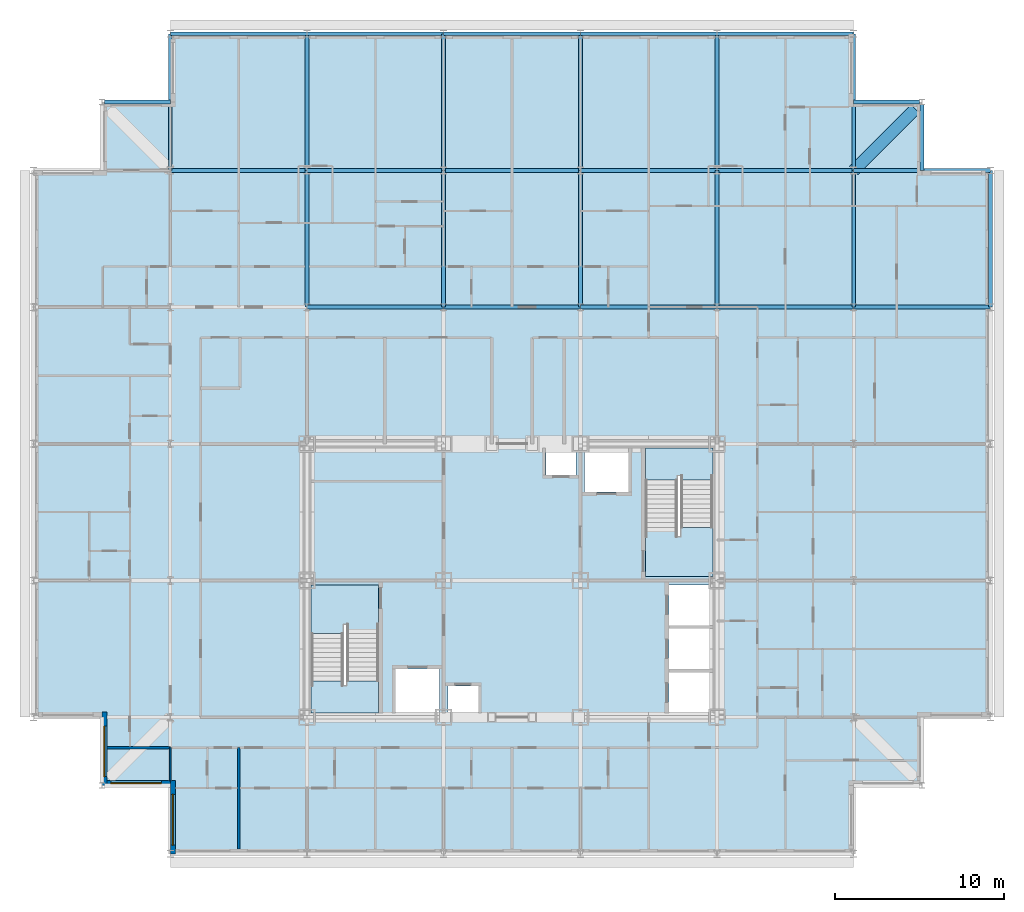
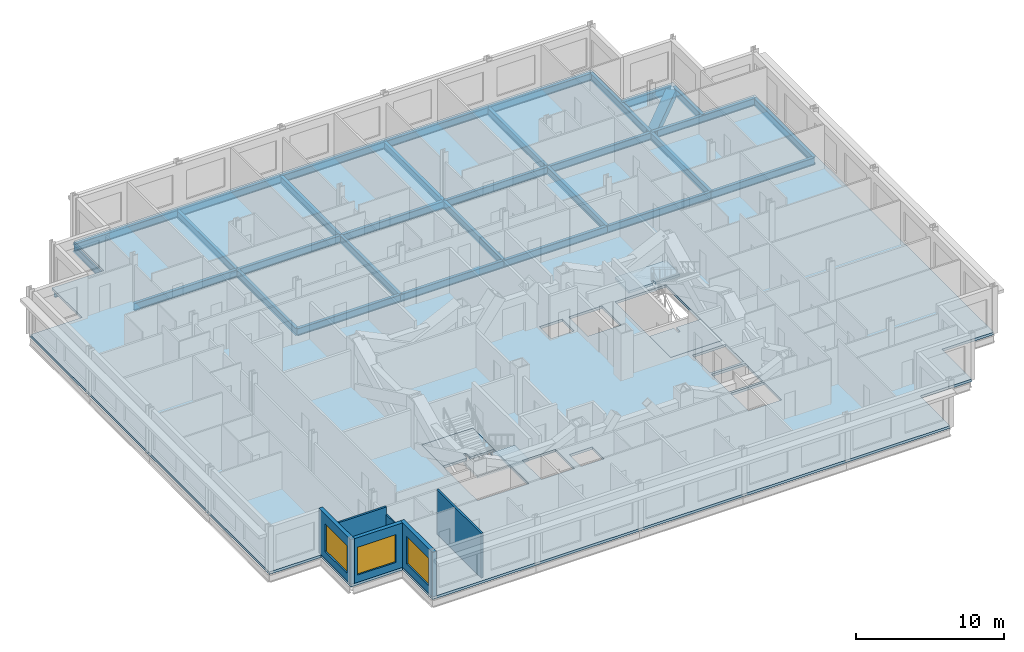
# One storey, part 6 of 16: 32 beams, 6 walls, 5 slabs, 3 windows, 3 openings, 2 elements without a shape of their own.
"""IFC4 building model written with IfcOpenShell, lengths in metres."""

import ifcopenshell
import ifcopenshell.guid

model = None  # the IFC model being written
_history = None  # IfcOwnerHistory: only IFC2X3 demands one
_inside = {}  # id of a spatial element -> (the spatial element, [elements in it])
_under = {}  # id of a project, library or spatial element -> (it, [spatial elements below it])
_declared = {}  # id of a project -> (the project, [libraries it declares])
_typed = {}  # id of a type object -> (the type object, [elements of that type])
_made_of = {}  # id of a material, layer set ... -> (it, [elements and type objects made of it])


def new_model(schema):
    """Start an empty IFC model of exactly this schema.

    Asked for "IFC4X3", IfcOpenShell would pick the latest addendum, in which some entities
    have other attributes; the version numbers below select the first issue.
    IFC2X3 requires an IfcOwnerHistory on every rooted entity: one is made here for all.
    """
    global model, _history
    if schema == "IFC4X3":
        model = ifcopenshell.file(schema_version=(4, 3, 0, 0))
    else:
        model = ifcopenshell.file(schema=schema)
    _inside.clear()
    _under.clear()
    _declared.clear()
    _typed.clear()
    _made_of.clear()
    _history = None
    if model.schema == "IFC2X3":
        org = make("IfcOrganization", Name="unknown")
        user = make(
            "IfcPersonAndOrganization",
            ThePerson=make("IfcPerson", FamilyName="unknown"),
            TheOrganization=org,
        )
        app = make(
            "IfcApplication",
            ApplicationDeveloper=org,
            Version="unknown",
            ApplicationFullName="unknown",
            ApplicationIdentifier="unknown",
        )
        _history = make(
            "IfcOwnerHistory",
            OwningUser=user,
            OwningApplication=app,
            ChangeAction="ADDED",
            CreationDate=0,
        )
    return model


def make(cls, **values):
    """One entity of the class cls with the attributes given. An attribute that is None is left unset."""
    return model.create_entity(
        cls, **{name: value for name, value in values.items() if value is not None}
    )


def rooted(cls, **values):
    """An entity with a GlobalId (a new one), such as an element, a storey or a relation."""
    return make(cls, GlobalId=ifcopenshell.guid.new(), OwnerHistory=_history, **values)


def si_unit(unit_type, name, prefix=None):
    """IfcSIUnit, for example si_unit("LENGTHUNIT", "METRE", prefix="MILLI")."""
    return make("IfcSIUnit", UnitType=unit_type, Prefix=prefix, Name=name)


def assignment(units):
    """IfcUnitAssignment: the units of a project."""
    return None if units is None else make("IfcUnitAssignment", Units=units)


def point(xyz):
    """IfcCartesianPoint."""
    return None if xyz is None else make("IfcCartesianPoint", Coordinates=xyz)


def direction(xyz):
    """IfcDirection."""
    return None if xyz is None else make("IfcDirection", DirectionRatios=xyz)


def frame(location, z_axis=None, x_axis=None):
    """IfcAxis2Placement3D, a coordinate frame: its origin and axes. An axis left out is left unset."""
    return make(
        "IfcAxis2Placement3D",
        Location=point(location),
        Axis=direction(z_axis),
        RefDirection=direction(x_axis),
    )


def frame_2d(location, x_axis=None):
    """IfcAxis2Placement2D, a coordinate frame in the plane: its origin and x axis."""
    return make(
        "IfcAxis2Placement2D", Location=point(location), RefDirection=direction(x_axis)
    )


def origin():
    """The frame at (0, 0, 0) with its axes left unset."""
    return frame((0.0, 0.0, 0.0))


def origin_2d():
    """The frame at (0, 0) in the plane with its x axis left unset."""
    return frame_2d((0.0, 0.0))


def place(relative_to, where):
    """IfcLocalPlacement: puts the frame where relative to a parent placement (None: the world)."""
    return make(
        "IfcLocalPlacement", PlacementRelTo=relative_to, RelativePlacement=where
    )


def context(
    kind, dimensions, precision=None, world=None, true_north=None, identifier=None
):
    """IfcGeometricRepresentationContext, for example the 3D "Model" context."""
    return make(
        "IfcGeometricRepresentationContext",
        ContextIdentifier=identifier,
        ContextType=kind,
        CoordinateSpaceDimension=dimensions,
        Precision=precision,
        WorldCoordinateSystem=world,
        TrueNorth=true_north,
    )


def subcontext(parent, identifier, kind, view, scale=None):
    """IfcGeometricRepresentationSubContext, for example "Body" below "Model"."""
    return make(
        "IfcGeometricRepresentationSubContext",
        ContextIdentifier=identifier,
        ContextType=kind,
        ParentContext=parent,
        TargetScale=scale,
        TargetView=view,
    )


def project(units=None, contexts=None):
    """IfcProject with its units and contexts."""
    return rooted(
        "IfcProject",
        Name="project",
        RepresentationContexts=contexts,
        UnitsInContext=assignment(units),
    )


def spatial(cls, under=None, at=None, **own):
    """A site, building, storey or space (cls), placed at a placement, below another one or the project."""
    s = rooted(cls, ObjectPlacement=at, **own)
    if under is not None:
        _under.setdefault(under.id(), (under, []))[1].append(s)
    return s


def polyline(points):
    """IfcPolyline through the points."""
    return make("IfcPolyline", Points=[point(p) for p in points])


def profile(cls, at=None, kind="AREA", **sizes):
    """A parametric profile (cls). Its sizes go by their IFC names, for example OverallWidth=200.0."""
    return make(cls, ProfileType=kind, Position=at, **sizes)


def rectangle(**sizes):
    """IfcRectangleProfileDef."""
    return profile("IfcRectangleProfileDef", **sizes)


def hollow_rectangle(**sizes):
    """IfcRectangleHollowProfileDef."""
    return profile("IfcRectangleHollowProfileDef", **sizes)


def i_section(**sizes):
    """IfcIShapeProfileDef."""
    return profile("IfcIShapeProfileDef", **sizes)


def outline(outer, holes=None, kind="AREA"):
    """IfcArbitraryClosedProfileDef: a profile drawn as a closed curve; with holes, ...WithVoids."""
    if holes is None:
        return make("IfcArbitraryClosedProfileDef", ProfileType=kind, OuterCurve=outer)
    return make(
        "IfcArbitraryProfileDefWithVoids",
        ProfileType=kind,
        OuterCurve=outer,
        InnerCurves=holes,
    )


def extrude(swept, where, along, depth):
    """IfcExtrudedAreaSolid: the profile swept, set in the frame where, extruded along a direction by depth."""
    return make(
        "IfcExtrudedAreaSolid",
        SweptArea=swept,
        Position=where,
        ExtrudedDirection=direction(along),
        Depth=depth,
    )


def shape(context_of_items, identifier, shape_type, items):
    """IfcShapeRepresentation: the items that make up one representation, for example the "Body"."""
    return make(
        "IfcShapeRepresentation",
        ContextOfItems=context_of_items,
        RepresentationIdentifier=identifier,
        RepresentationType=shape_type,
        Items=items,
    )


def material(Name=None, Category=None):
    """IfcMaterial."""
    return make("IfcMaterial", Name=Name, Category=Category)


def layer(
    of_material, thickness, ventilated=None, Name=None, Category=None, Priority=None
):
    """IfcMaterialLayer: one layer of a wall or slab, of a material (None: an air gap)."""
    return make(
        "IfcMaterialLayer",
        Material=of_material,
        LayerThickness=thickness,
        IsVentilated=ventilated,
        Name=Name,
        Category=Category,
        Priority=Priority,
    )


def layer_set(layers, Name=None):
    """IfcMaterialLayerSet."""
    return make("IfcMaterialLayerSet", MaterialLayers=layers, LayerSetName=Name)


def material_profile(
    of_material, cross_section, Name=None, Category=None, Priority=None
):
    """IfcMaterialProfile: a cross section and its material."""
    return make(
        "IfcMaterialProfile",
        Name=Name,
        Material=of_material,
        Profile=cross_section,
        Priority=Priority,
        Category=Category,
    )


def profile_set(profiles, Name=None, composite=None):
    """IfcMaterialProfileSet."""
    return make(
        "IfcMaterialProfileSet",
        Name=Name,
        MaterialProfiles=profiles,
        CompositeProfile=composite,
    )


def made_of(thing, what):
    """Note that an element or type object is made of a material, layer set ...; save() writes the relation."""
    if what is not None:
        _made_of.setdefault(what.id(), (what, []))[1].append(thing)
    return thing


def type_object(cls, material=None, **own):
    """A type object (cls), such as IfcWallType, which elements share."""
    return made_of(rooted(cls, **own), material)


def element(
    cls,
    number,
    at=None,
    inside=None,
    cuts=None,
    type_object=None,
    material=None,
    context=None,
    identifier="Body",
    shape_type=None,
    held_by="IfcProductDefinitionShape",
    body=None,
    shapes=None,
    **own,
):
    """One element of the class cls, such as IfcWall. Its Tag is "e" and its number.

    at: its placement. inside: the storey or other place that contains it. cuts: it is an
    opening in that element (IfcRelVoidsElement). A single representation is given by context,
    identifier, shape_type and body (its items); several are given by shapes. held_by: the class
    of the entity that holds the representations. save() writes the other relations.
    """
    e = rooted(cls, Tag="e%d" % number, ObjectPlacement=at, **own)
    if body is not None:
        shapes = [shape(context, identifier, shape_type, body)]
    if shapes is not None:
        e.Representation = make(held_by, Representations=shapes)
    if inside is not None:
        _inside.setdefault(inside.id(), (inside, []))[1].append(e)
    if cuts is not None:
        rooted(
            "IfcRelVoidsElement", RelatingBuildingElement=cuts, RelatedOpeningElement=e
        )
    if type_object is not None:
        _typed.setdefault(type_object.id(), (type_object, []))[1].append(e)
    return made_of(e, material)


def fill(opening, filler):
    """IfcRelFillsElement: the door or window that sits in an opening."""
    return rooted(
        "IfcRelFillsElement",
        RelatingOpeningElement=opening,
        RelatedBuildingElement=filler,
    )


def aggregate(whole, parts):
    """IfcRelAggregates: a whole, such as a stair, and the parts it consists of."""
    return rooted("IfcRelAggregates", RelatingObject=whole, RelatedObjects=parts)


def save(model, path):
    """Write the relations noted so far, then the file.

    IfcRelAggregates (storeys below a building ...), IfcRelContainedInSpatialStructure (elements
    in a storey), IfcRelDefinesByType, IfcRelAssociatesMaterial and IfcRelDeclares: one each for
    every whole, place, type object, material and project.
    """
    for whole, parts in _under.values():
        aggregate(whole, parts)
    for where, things in _inside.values():
        rooted(
            "IfcRelContainedInSpatialStructure",
            RelatedElements=things,
            RelatingStructure=where,
        )
    for kind, things in _typed.values():
        rooted("IfcRelDefinesByType", RelatedObjects=things, RelatingType=kind)
    for what, things in _made_of.values():
        rooted("IfcRelAssociatesMaterial", RelatedObjects=things, RelatingMaterial=what)
    for by, libraries in _declared.values():
        rooted("IfcRelDeclares", RelatingContext=by, RelatedDefinitions=libraries)
    model.write(path)


model = new_model("IFC4")

# Units and contexts
model_context = context("Model", 3, precision=1e-05, world=origin(), true_north=direction((0.0, 1.0)))
body_context = subcontext(model_context, "Body", "Model", "MODEL_VIEW")
ifc_project = project(units=[si_unit("LENGTHUNIT", "METRE"), si_unit("AREAUNIT", "SQUARE_METRE"), si_unit("VOLUMEUNIT", "CUBIC_METRE"), si_unit("PLANEANGLEUNIT", "RADIAN"), si_unit("MASSUNIT", "GRAM", prefix="KILO")], contexts=[model_context])

# Site, building, storey
site_placement = place(None, origin())
site = spatial("IfcSite", under=ifc_project, at=site_placement, CompositionType="ELEMENT")
building_placement = place(site_placement, origin())
building = spatial("IfcBuilding", under=site, at=building_placement, Name="Kopane Lantern Tower", CompositionType="ELEMENT")
storey_placement = place(building_placement, frame((0.0, 0.0, 258.0)))
storey = spatial("IfcBuildingStorey", under=building, at=storey_placement, Name="L66", CompositionType="ELEMENT", Elevation=258.0)

# Beams
ifc_material_1 = material(Name="Steel S355JR", Category="steel")
ifc_material_profile_1 = material_profile(ifc_material_1, hollow_rectangle(XDim=0.699951171875, YDim=0.699951171875, WallThickness=0.06005859375, at=origin_2d()), Name="BOX 700x700x60")
ifc_profile_set_1 = profile_set([ifc_material_profile_1], Name="Steel S355JR")
beam_type_1 = type_object("IfcBeamType", Name="CORNER TIE BEAM BOX 700x700x60", PredefinedType="BEAM", material=ifc_profile_set_1)
beam_1_placement = place(storey_placement, frame((52.25244140625, 60.3525390625, -0.56005859375), z_axis=(-0.707083148333, -0.70713041325, 0.0), x_axis=(0.70713041325, -0.707083148333, 0.0)))
element("IfcBeam", 1, at=beam_1_placement, inside=storey, type_object=beam_type_1, Name="Corner Tie Beam L66", PredefinedType="BEAM", context=body_context, shape_type="SweptSolid", body=[
    extrude(hollow_rectangle(XDim=0.699951171875, YDim=0.699951171875, WallThickness=0.06005859375, at=origin_2d()), origin(), (0.0, 0.0, 1.0), 5.165283203125),
])
ifc_material_2 = material(Name="Steel S355JR", Category="steel")
ifc_material_profile_2 = material_profile(ifc_material_2, i_section(OverallWidth=0.22900390625, OverallDepth=0.6123046875, WebThickness=0.011962890625, FlangeThickness=0.01953125, FilletRadius=0.0126953125, at=origin_2d()), Name="UB 610x229x125")
ifc_profile_set_2 = profile_set([ifc_material_profile_2], Name="Steel S355JR")
beam_type_2 = type_object("IfcBeamType", Name="EDGE BEAM UB 610x229x125", PredefinedType="BEAM", material=ifc_profile_set_2)
beam_2_placement = place(storey_placement, frame((4.20361328125, 60.75, -0.51611328125), z_axis=(1.0, 0.0, 0.0), x_axis=(0.0, 1.0, 0.0)))
element("IfcBeam", 2, at=beam_2_placement, inside=storey, type_object=beam_type_2, Name="Edge Beam L66", PredefinedType="BEAM", context=body_context, shape_type="SweptSolid", body=[
    extrude(i_section(OverallWidth=0.22900390625, OverallDepth=0.6123046875, WebThickness=0.011962890625, FlangeThickness=0.01953125, FilletRadius=0.0126953125, at=origin_2d()), origin(), (0.0, 0.0, 1.0), 3.896484375),
])
for number, where, z_axis, x_axis, name in (
    (3, (52.496337890625, 60.75, -0.51611328125), (-1.0, 0.0, 0.0), (0.0, -1.0, 0.0), "Edge Beam L66"),
    (4, (52.64990234375, 60.59619140625, -0.51611328125), (0.0, -1.0, 0.0), (1.0, 0.0, 0.0), "Edge Beam L66"),
):
    element("IfcBeam", number, at=place(storey_placement, frame(where, z_axis=z_axis, x_axis=x_axis)), inside=storey, type_object=beam_type_2, Name=name, PredefinedType="BEAM", context=body_context, shape_type="SweptSolid", body=[
        extrude(i_section(OverallWidth=0.22900390625, OverallDepth=0.6123046875, WebThickness=0.011962890625, FlangeThickness=0.01953125, FilletRadius=0.0126953125, at=origin_2d()), origin(), (0.0, 0.0, 1.0), 3.896240234375),
    ])
ifc_material_3 = material(Name="Steel S355JR", Category="steel")
ifc_material_profile_3 = material_profile(ifc_material_3, i_section(OverallWidth=0.22900390625, OverallDepth=0.6123046875, WebThickness=0.011962890625, FlangeThickness=0.01953125, FilletRadius=0.0126953125, at=origin_2d()), Name="UB 610x229x125")
ifc_profile_set_3 = profile_set([ifc_material_profile_3], Name="Steel S355JR")
beam_type_3 = type_object("IfcBeamType", Name="GIRDER UB 610x229x125", PredefinedType="BEAM", material=ifc_profile_set_3)
beam_3_placement = place(storey_placement, frame((8.10009765625, 56.699951171875, -0.51611328125), z_axis=(0.0, 1.0, 0.0), x_axis=(-1.0, 0.0, 0.0)))
element("IfcBeam", 5, at=beam_3_placement, inside=storey, type_object=beam_type_3, Name="Girder L66", PredefinedType="BEAM", context=body_context, shape_type="SweptSolid", body=[
    extrude(i_section(OverallWidth=0.22900390625, OverallDepth=0.6123046875, WebThickness=0.011962890625, FlangeThickness=0.01953125, FilletRadius=0.0126953125, at=origin_2d()), origin(), (0.0, 0.0, 1.0), 8.10009765625),
])
for number, where, z_axis, x_axis, name in (
    (6, (8.10009765625, 56.699951171875, -0.51611328125), (1.0, 0.0, 0.0), (0.0, 1.0, 0.0), "Girder L66"),
    (7, (8.10009765625, 64.800048828125, -0.51611328125), (1.0, 0.0, 0.0), (0.0, 1.0, 0.0), "Girder L66"),
    (8, (16.199951171875, 48.60009765625, -0.51611328125), (0.0, 1.0, 0.0), (-1.0, 0.0, 0.0), "Girder L66"),
):
    element("IfcBeam", number, at=place(storey_placement, frame(where, z_axis=z_axis, x_axis=x_axis)), inside=storey, type_object=beam_type_3, Name=name, PredefinedType="BEAM", context=body_context, shape_type="SweptSolid", body=[
        extrude(i_section(OverallWidth=0.22900390625, OverallDepth=0.6123046875, WebThickness=0.011962890625, FlangeThickness=0.01953125, FilletRadius=0.0126953125, at=origin_2d()), origin(), (0.0, 0.0, 1.0), 8.099853515625),
    ])
for number, where, z_axis, x_axis, name in (
    (9, (16.199951171875, 48.60009765625, -0.51611328125), (1.0, 0.0, 0.0), (0.0, 1.0, 0.0), "Girder L66"),
    (10, (16.199951171875, 56.699951171875, -0.51611328125), (0.0, 1.0, 0.0), (-1.0, 0.0, 0.0), "Girder L66"),
    (11, (16.199951171875, 56.699951171875, -0.51611328125), (1.0, 0.0, 0.0), (0.0, 1.0, 0.0), "Girder L66"),
    (12, (16.199951171875, 64.800048828125, -0.51611328125), (1.0, 0.0, 0.0), (0.0, 1.0, 0.0), "Girder L66"),
):
    element("IfcBeam", number, at=place(storey_placement, frame(where, z_axis=z_axis, x_axis=x_axis)), inside=storey, type_object=beam_type_3, Name=name, PredefinedType="BEAM", context=body_context, shape_type="SweptSolid", body=[
        extrude(i_section(OverallWidth=0.22900390625, OverallDepth=0.6123046875, WebThickness=0.011962890625, FlangeThickness=0.01953125, FilletRadius=0.0126953125, at=origin_2d()), origin(), (0.0, 0.0, 1.0), 8.10009765625),
    ])
for number, where, z_axis, x_axis, name in (
    (13, (24.300048828125, 48.60009765625, -0.51611328125), (0.0, 1.0, 0.0), (-1.0, 0.0, 0.0), "Girder L66"),
    (14, (24.300048828125, 48.60009765625, -0.51611328125), (1.0, 0.0, 0.0), (0.0, 1.0, 0.0), "Girder L66"),
):
    element("IfcBeam", number, at=place(storey_placement, frame(where, z_axis=z_axis, x_axis=x_axis)), inside=storey, type_object=beam_type_3, Name=name, PredefinedType="BEAM", context=body_context, shape_type="SweptSolid", body=[
        extrude(i_section(OverallWidth=0.22900390625, OverallDepth=0.6123046875, WebThickness=0.011962890625, FlangeThickness=0.01953125, FilletRadius=0.0126953125, at=origin_2d()), origin(), (0.0, 0.0, 1.0), 8.099853515625),
    ])
beam_4_placement = place(storey_placement, frame((24.300048828125, 56.699951171875, -0.51611328125), z_axis=(0.0, 1.0, 0.0), x_axis=(-1.0, 0.0, 0.0)))
element("IfcBeam", 15, at=beam_4_placement, inside=storey, type_object=beam_type_3, Name="Girder L66", PredefinedType="BEAM", context=body_context, shape_type="SweptSolid", body=[
    extrude(i_section(OverallWidth=0.22900390625, OverallDepth=0.6123046875, WebThickness=0.011962890625, FlangeThickness=0.01953125, FilletRadius=0.0126953125, at=origin_2d()), origin(), (0.0, 0.0, 1.0), 8.10009765625),
])
for number, where, z_axis, x_axis, name in (
    (16, (24.300048828125, 56.699951171875, -0.51611328125), (1.0, 0.0, 0.0), (0.0, 1.0, 0.0), "Girder L66"),
    (17, (24.300048828125, 64.800048828125, -0.51611328125), (1.0, 0.0, 0.0), (0.0, 1.0, 0.0), "Girder L66"),
    (18, (32.39990234375, 48.60009765625, -0.51611328125), (0.0, 1.0, 0.0), (-1.0, 0.0, 0.0), "Girder L66"),
):
    element("IfcBeam", number, at=place(storey_placement, frame(where, z_axis=z_axis, x_axis=x_axis)), inside=storey, type_object=beam_type_3, Name=name, PredefinedType="BEAM", context=body_context, shape_type="SweptSolid", body=[
        extrude(i_section(OverallWidth=0.22900390625, OverallDepth=0.6123046875, WebThickness=0.011962890625, FlangeThickness=0.01953125, FilletRadius=0.0126953125, at=origin_2d()), origin(), (0.0, 0.0, 1.0), 8.099853515625),
    ])
for number, where, z_axis, x_axis, name in (
    (19, (32.39990234375, 48.60009765625, -0.51611328125), (1.0, 0.0, 0.0), (0.0, 1.0, 0.0), "Girder L66"),
    (20, (32.39990234375, 56.699951171875, -0.51611328125), (0.0, 1.0, 0.0), (-1.0, 0.0, 0.0), "Girder L66"),
    (21, (32.39990234375, 56.699951171875, -0.51611328125), (1.0, 0.0, 0.0), (0.0, 1.0, 0.0), "Girder L66"),
    (22, (32.39990234375, 64.800048828125, -0.51611328125), (1.0, 0.0, 0.0), (0.0, 1.0, 0.0), "Girder L66"),
):
    element("IfcBeam", number, at=place(storey_placement, frame(where, z_axis=z_axis, x_axis=x_axis)), inside=storey, type_object=beam_type_3, Name=name, PredefinedType="BEAM", context=body_context, shape_type="SweptSolid", body=[
        extrude(i_section(OverallWidth=0.22900390625, OverallDepth=0.6123046875, WebThickness=0.011962890625, FlangeThickness=0.01953125, FilletRadius=0.0126953125, at=origin_2d()), origin(), (0.0, 0.0, 1.0), 8.10009765625),
    ])
beam_5_placement = place(storey_placement, frame((40.5, 48.60009765625, -0.51611328125), z_axis=(0.0, 1.0, 0.0), x_axis=(-1.0, 0.0, 0.0)))
element("IfcBeam", 23, at=beam_5_placement, inside=storey, type_object=beam_type_3, Name="Girder L66", PredefinedType="BEAM", context=body_context, shape_type="SweptSolid", body=[
    extrude(i_section(OverallWidth=0.22900390625, OverallDepth=0.6123046875, WebThickness=0.011962890625, FlangeThickness=0.01953125, FilletRadius=0.0126953125, at=origin_2d()), origin(), (0.0, 0.0, 1.0), 8.099853515625),
])
for number, where, z_axis, x_axis, name in (
    (24, (40.5, 48.60009765625, -0.51611328125), (1.0, 0.0, 0.0), (0.0, 1.0, 0.0), "Girder L66"),
    (25, (40.5, 56.699951171875, -0.51611328125), (0.0, 1.0, 0.0), (-1.0, 0.0, 0.0), "Girder L66"),
    (26, (40.5, 56.699951171875, -0.51611328125), (1.0, 0.0, 0.0), (0.0, 1.0, 0.0), "Girder L66"),
    (27, (40.5, 64.800048828125, -0.51611328125), (1.0, 0.0, 0.0), (0.0, 1.0, 0.0), "Girder L66"),
):
    element("IfcBeam", number, at=place(storey_placement, frame(where, z_axis=z_axis, x_axis=x_axis)), inside=storey, type_object=beam_type_3, Name=name, PredefinedType="BEAM", context=body_context, shape_type="SweptSolid", body=[
        extrude(i_section(OverallWidth=0.22900390625, OverallDepth=0.6123046875, WebThickness=0.011962890625, FlangeThickness=0.01953125, FilletRadius=0.0126953125, at=origin_2d()), origin(), (0.0, 0.0, 1.0), 8.10009765625),
    ])
for number, where, z_axis, x_axis, name in (
    (28, (48.60009765625, 48.60009765625, -0.51611328125), (0.0, 1.0, 0.0), (-1.0, 0.0, 0.0), "Girder L66"),
    (29, (48.60009765625, 48.60009765625, -0.51611328125), (1.0, 0.0, 0.0), (0.0, 1.0, 0.0), "Girder L66"),
):
    element("IfcBeam", number, at=place(storey_placement, frame(where, z_axis=z_axis, x_axis=x_axis)), inside=storey, type_object=beam_type_3, Name=name, PredefinedType="BEAM", context=body_context, shape_type="SweptSolid", body=[
        extrude(i_section(OverallWidth=0.22900390625, OverallDepth=0.6123046875, WebThickness=0.011962890625, FlangeThickness=0.01953125, FilletRadius=0.0126953125, at=origin_2d()), origin(), (0.0, 0.0, 1.0), 8.099853515625),
    ])
beam_6_placement = place(storey_placement, frame((48.60009765625, 56.699951171875, -0.51611328125), z_axis=(0.0, 1.0, 0.0), x_axis=(-1.0, 0.0, 0.0)))
element("IfcBeam", 30, at=beam_6_placement, inside=storey, type_object=beam_type_3, Name="Girder L66", PredefinedType="BEAM", context=body_context, shape_type="SweptSolid", body=[
    extrude(i_section(OverallWidth=0.22900390625, OverallDepth=0.6123046875, WebThickness=0.011962890625, FlangeThickness=0.01953125, FilletRadius=0.0126953125, at=origin_2d()), origin(), (0.0, 0.0, 1.0), 8.10009765625),
])
for number, where, z_axis, x_axis, name in (
    (31, (48.60009765625, 56.699951171875, -0.51611328125), (1.0, 0.0, 0.0), (0.0, 1.0, 0.0), "Girder L66"),
    (32, (56.699951171875, 48.60009765625, -0.51611328125), (0.0, 1.0, 0.0), (-1.0, 0.0, 0.0), "Girder L66"),
):
    element("IfcBeam", number, at=place(storey_placement, frame(where, z_axis=z_axis, x_axis=x_axis)), inside=storey, type_object=beam_type_3, Name=name, PredefinedType="BEAM", context=body_context, shape_type="SweptSolid", body=[
        extrude(i_section(OverallWidth=0.22900390625, OverallDepth=0.6123046875, WebThickness=0.011962890625, FlangeThickness=0.01953125, FilletRadius=0.0126953125, at=origin_2d()), origin(), (0.0, 0.0, 1.0), 8.099853515625),
    ])

# Slab
ifc_material_4 = material(Name="Concrete C40/50", Category="concrete")
ifc_layer_1 = layer(ifc_material_4, 0.2099609375)
ifc_layer_set_1 = layer_set([ifc_layer_1], Name="SLAB 210 COMPOSITE")
slab_type_1 = type_object("IfcSlabType", Name="SLAB 210 COMPOSITE", PredefinedType="FLOOR", material=ifc_layer_set_1)
slab_1_placement = place(storey_placement, frame((0.0, 0.0, -0.2099609375)))
element("IfcSlab", 33, at=slab_1_placement, inside=storey, type_object=slab_type_1, Name="Floor slab L66", PredefinedType="FLOOR", context=body_context, shape_type="SweptSolid", body=[
    extrude(outline(polyline([(8.10009765625, 16.199951171875), (48.60009765625, 16.199951171875), (48.60009765625, 20.25), (52.64990234375, 20.25), (52.64990234375, 24.300048828125), (56.699951171875, 24.300048828125), (56.699951171875, 56.699951171875), (52.64990234375, 56.699951171875), (52.64990234375, 60.75), (48.60009765625, 60.75), (48.60009765625, 64.800048828125), (8.10009765625, 64.800048828125), (8.10009765625, 60.75), (4.050048828125, 60.75), (4.050048828125, 56.699951171875), (0.0, 56.699951171875), (0.0, 24.300048828125), (4.050048828125, 24.300048828125), (4.050048828125, 20.25), (8.10009765625, 20.25), (8.10009765625, 16.199951171875)]), holes=[polyline([(16.449951171875, 24.550048828125), (20.449951171875, 24.550048828125), (20.449951171875, 32.14990234375), (16.449951171875, 32.14990234375), (16.449951171875, 24.550048828125)]), polyline([(36.25, 32.64990234375), (40.25, 32.64990234375), (40.25, 40.25), (36.25, 40.25), (36.25, 32.64990234375)]), polyline([(37.64990234375, 24.550048828125), (40.25, 24.550048828125), (40.25, 26.949951171875), (37.64990234375, 26.949951171875), (37.64990234375, 24.550048828125)]), polyline([(37.64990234375, 27.14990234375), (40.25, 27.14990234375), (40.25, 29.550048828125), (37.64990234375, 29.550048828125), (37.64990234375, 27.14990234375)]), polyline([(37.64990234375, 29.75), (40.25, 29.75), (40.25, 32.14990234375), (37.64990234375, 32.14990234375), (37.64990234375, 29.75)]), polyline([(21.449951171875, 24.550048828125), (24.050048828125, 24.550048828125), (24.050048828125, 27.14990234375), (21.449951171875, 27.14990234375), (21.449951171875, 24.550048828125)]), polyline([(32.64990234375, 37.64990234375), (35.25, 37.64990234375), (35.25, 40.25), (32.64990234375, 40.25), (32.64990234375, 37.64990234375)]), polyline([(24.550048828125, 24.550048828125), (26.35009765625, 24.550048828125), (26.35009765625, 26.14990234375), (24.550048828125, 26.14990234375), (24.550048828125, 24.550048828125)]), polyline([(30.35009765625, 38.64990234375), (32.14990234375, 38.64990234375), (32.14990234375, 40.25), (30.35009765625, 40.25), (30.35009765625, 38.64990234375)])]), origin(), (0.0, 0.0, 1.0), 0.2099609375),
])

# Stair, slabs
ifc_material_5 = material(Name="Steel S355JR", Category="steel")
stair_type = type_object("IfcStairType", Name="EXIT STAIR 1900 HALF TURN", PredefinedType="HALF_TURN_STAIR", material=ifc_material_5)
stair_1_placement = place(storey_placement, origin())
stair_1 = element("IfcStair", 34, at=stair_1_placement, inside=storey, type_object=stair_type, Name="Exit stair ST1 L66", PredefinedType="HALF_TURN_STAIR")
ifc_material_6 = material(Name="Concrete C40/50", Category="concrete")
ifc_layer_2 = layer(ifc_material_6, 0.199951171875)
ifc_layer_set_2 = layer_set([ifc_layer_2], Name="STAIR LANDING 200")
slab_type_2 = type_object("IfcSlabType", Name="STAIR LANDING 200", PredefinedType="LANDING", material=ifc_layer_set_2)
slab_2_placement = place(storey_placement, frame((0.0, 0.0, -0.199951171875)))
slab_2 = element("IfcSlab", 35, at=slab_2_placement, type_object=slab_type_2, Name="ST1 landing 1", PredefinedType="LANDING", context=body_context, shape_type="SweptSolid", body=[
    extrude(outline(polyline([(18.35009765625, 29.81005859375), (18.550048828125, 29.81005859375), (18.550048828125, 29.25), (20.449951171875, 29.25), (20.449951171875, 32.14990234375), (16.449951171875, 32.14990234375), (16.449951171875, 29.25), (18.35009765625, 29.25), (18.35009765625, 29.81005859375)])), origin(), (0.0, 0.0, 1.0), 0.199951171875),
])
slab_3_placement = place(storey_placement, frame((0.0, 0.0, 1.834716796875)))
slab_3 = element("IfcSlab", 36, at=slab_3_placement, type_object=slab_type_2, Name="ST1 landing 2", PredefinedType="LANDING", context=body_context, shape_type="SweptSolid", body=[
    extrude(outline(polyline([(20.449951171875, 26.449951171875), (18.550048828125, 26.449951171875), (18.550048828125, 26.169921875), (18.35009765625, 26.169921875), (18.35009765625, 26.449951171875), (16.449951171875, 26.449951171875), (16.449951171875, 24.550048828125), (20.449951171875, 24.550048828125), (20.449951171875, 26.449951171875)])), origin(), (0.0, 0.0, 1.0), 0.2001953125),
])
aggregate(stair_1, [slab_2, slab_3])

stair_2_placement = place(storey_placement, origin())
stair_2 = element("IfcStair", 37, at=stair_2_placement, inside=storey, type_object=stair_type, Name="Exit stair ST2 L66", PredefinedType="HALF_TURN_STAIR")
slab_4_placement = place(storey_placement, frame((0.0, 0.0, -0.199951171875)))
slab_4 = element("IfcSlab", 38, at=slab_4_placement, type_object=slab_type_2, Name="ST2 landing 1", PredefinedType="LANDING", context=body_context, shape_type="SweptSolid", body=[
    extrude(outline(polyline([(40.25, 35.550048828125), (38.35009765625, 35.550048828125), (38.35009765625, 34.989990234375), (38.14990234375, 34.989990234375), (38.14990234375, 35.550048828125), (36.25, 35.550048828125), (36.25, 32.64990234375), (40.25, 32.64990234375), (40.25, 35.550048828125)])), origin(), (0.0, 0.0, 1.0), 0.199951171875),
])
slab_5_placement = place(storey_placement, frame((0.0, 0.0, 1.834716796875)))
slab_5 = element("IfcSlab", 39, at=slab_5_placement, type_object=slab_type_2, Name="ST2 landing 2", PredefinedType="LANDING", context=body_context, shape_type="SweptSolid", body=[
    extrude(outline(polyline([(38.14990234375, 38.6298828125), (38.35009765625, 38.6298828125), (38.35009765625, 38.35009765625), (40.25, 38.35009765625), (40.25, 40.25), (36.25, 40.25), (36.25, 38.35009765625), (38.14990234375, 38.35009765625), (38.14990234375, 38.6298828125)])), origin(), (0.0, 0.0, 1.0), 0.2001953125),
])
aggregate(stair_2, [slab_4, slab_5])

# Walls
ifc_material_7 = material(Name="Moisture-resistant board on steel studs", Category="steel")
ifc_layer_3 = layer(ifc_material_7, 0.10009765625)
ifc_layer_set_3 = layer_set([ifc_layer_3], Name="BATHROOM WALL 100")
wall_type_1 = type_object("IfcWallType", Name="BATHROOM WALL 100", PredefinedType="PARTITIONING", material=ifc_layer_set_3)
wall_1_placement = place(storey_placement, frame((8.10009765625, 22.5, 0.0), z_axis=(0.0, 0.0, 1.0), x_axis=(0.0, -1.0, 0.0)))
element("IfcWall", 40, at=wall_1_placement, inside=storey, type_object=wall_type_1, Name="Bathroom Wall 100 L66", PredefinedType="PARTITIONING", context=body_context, shape_type="SweptSolid", body=[
    extrude(rectangle(XDim=1.949951171875, YDim=0.10009765625, at=frame_2d((0.97509765625, 0.0))), origin(), (0.0, 0.0, 1.0), 3.077880859375),
])
ifc_material_8 = material(Name="Gypsum board on steel studs", Category="steel")
ifc_layer_4 = layer(ifc_material_8, 0.14990234375)
ifc_layer_set_4 = layer_set([ifc_layer_4], Name="DEMISING WALL 150 EI 60")
wall_type_2 = type_object("IfcWallType", Name="DEMISING WALL 150 EI 60", PredefinedType="PARTITIONING", material=ifc_layer_set_4)
wall_2_placement = place(storey_placement, frame((4.35009765625, 22.5, 0.0), z_axis=(0.0, 0.0, 1.0), x_axis=(1.0, 0.0, 0.0)))
element("IfcWall", 41, at=wall_2_placement, inside=storey, type_object=wall_type_2, Name="Demising Wall 150 Ei 60 L66", PredefinedType="PARTITIONING", context=body_context, shape_type="SweptSolid", body=[
    extrude(rectangle(XDim=3.75, YDim=0.14990234375, at=frame_2d((1.875, 0.0))), origin(), (0.0, 0.0, 1.0), 3.68994140625),
])
wall_3_placement = place(storey_placement, frame((12.14990234375, 22.5, 0.0), z_axis=(0.0, 0.0, 1.0), x_axis=(0.0, -1.0, 0.0)))
element("IfcWall", 42, at=wall_3_placement, inside=storey, type_object=wall_type_2, Name="Demising Wall 150 Ei 60 L66", PredefinedType="PARTITIONING", context=body_context, shape_type="SweptSolid", body=[
    extrude(rectangle(XDim=6.0, YDim=0.14990234375, at=frame_2d((3.0, 0.0))), origin(), (0.0, 0.0, 1.0), 3.68994140625),
])

# Wall, opening, window
ifc_material_9 = material(Name="Terracotta rainscreen on light steel framing", Category="masonry")
ifc_layer_5 = layer(ifc_material_9, 0.300048828125)
ifc_layer_set_5 = layer_set([ifc_layer_5], Name="EXTERNAL WALL EW1 300 TERRACOTTA")
wall_type_3 = type_object("IfcWallType", Name="EXTERNAL WALL EW1 300 TERRACOTTA", PredefinedType="SOLIDWALL", material=ifc_layer_set_5)
wall_4_placement = place(storey_placement, frame((4.199951171875, 24.60009765625, 0.0), z_axis=(0.0, 0.0, 1.0), x_axis=(0.0, -1.0, 0.0)))
wall_4 = element("IfcWall", 43, at=wall_4_placement, inside=storey, type_object=wall_type_3, Name="External wall W L66", PredefinedType="SOLIDWALL", context=body_context, shape_type="SweptSolid", body=[
    extrude(rectangle(XDim=4.35009765625, YDim=0.300048828125, at=frame_2d((2.175048828125, 0.0))), origin(), (0.0, 0.0, 1.0), 3.68994140625),
])
opening_1_placement = place(wall_4_placement, frame((0.824951171875, 0.0, 0.60009765625)))
opening_1 = element("IfcOpeningElement", 44, at=opening_1_placement, cuts=wall_4, Name="Opening WR300230", PredefinedType="OPENING", context=body_context, shape_type="SweptSolid", body=[
    extrude(rectangle(XDim=3.0, YDim=2.300048828125, at=frame_2d((1.5, 1.14990234375))), frame((0.0, 0.159912109375, 0.0), z_axis=(0.0, -1.0, 0.0), x_axis=(1.0, 0.0, 0.0)), (0.0, 0.0, 1.0), 0.320068359375),
])
ifc_material_10 = material(Name="Aluminium and clear glass", Category="aluminium")
window_type = type_object("IfcWindowType", Name="RIBBON WINDOW WR300230 3000x2300", PartitioningType="SINGLE_PANEL", PredefinedType="WINDOW", material=ifc_material_10)
window_1_placement = place(opening_1_placement, origin())
window_1 = element("IfcWindow", 45, at=window_1_placement, inside=storey, type_object=window_type, Name="Window W L66", OverallHeight=2.300048828125, OverallWidth=3.0, PartitioningType="SINGLE_PANEL", PredefinedType="WINDOW", context=body_context, shape_type="SweptSolid", body=[
    extrude(rectangle(XDim=3.0, YDim=2.300048828125, at=frame_2d((1.5, 1.14990234375))), frame((0.0, 0.030029296875, 0.0), z_axis=(0.0, -1.0, 0.0), x_axis=(1.0, 0.0, 0.0)), (0.0, 0.0, 1.0), 0.06005859375),
])
fill(opening_1, window_1)

wall_5_placement = place(storey_placement, frame((4.35009765625, 20.39990234375, 0.0), z_axis=(0.0, 0.0, 1.0), x_axis=(1.0, 0.0, 0.0)))
wall_5 = element("IfcWall", 46, at=wall_5_placement, inside=storey, type_object=wall_type_3, Name="External wall S L66", PredefinedType="SOLIDWALL", context=body_context, shape_type="SweptSolid", body=[
    extrude(rectangle(XDim=3.75, YDim=0.300048828125, at=frame_2d((1.875, 0.0))), origin(), (0.0, 0.0, 1.0), 3.68994140625),
])
opening_2_placement = place(wall_5_placement, frame((0.22509765625, 0.0, 0.60009765625)))
opening_2 = element("IfcOpeningElement", 47, at=opening_2_placement, cuts=wall_5, Name="Opening WR300230", PredefinedType="OPENING", context=body_context, shape_type="SweptSolid", body=[
    extrude(rectangle(XDim=3.0, YDim=2.300048828125, at=frame_2d((1.5, 1.14990234375))), frame((0.0, 0.159912109375, 0.0), z_axis=(0.0, -1.0, 0.0), x_axis=(1.0, 0.0, 0.0)), (0.0, 0.0, 1.0), 0.320068359375),
])
window_2_placement = place(opening_2_placement, origin())
window_2 = element("IfcWindow", 48, at=window_2_placement, inside=storey, type_object=window_type, Name="Window S L66", OverallHeight=2.300048828125, OverallWidth=3.0, PartitioningType="SINGLE_PANEL", PredefinedType="WINDOW", context=body_context, shape_type="SweptSolid", body=[
    extrude(rectangle(XDim=3.0, YDim=2.300048828125, at=frame_2d((1.5, 1.14990234375))), frame((0.0, 0.030029296875, 0.0), z_axis=(0.0, -1.0, 0.0), x_axis=(1.0, 0.0, 0.0)), (0.0, 0.0, 1.0), 0.06005859375),
])
fill(opening_2, window_2)

wall_6_placement = place(storey_placement, frame((8.25, 20.550048828125, 0.0), z_axis=(0.0, 0.0, 1.0), x_axis=(0.0, -1.0, 0.0)))
wall_6 = element("IfcWall", 49, at=wall_6_placement, inside=storey, type_object=wall_type_3, Name="External wall W L66", PredefinedType="SOLIDWALL", context=body_context, shape_type="SweptSolid", body=[
    extrude(rectangle(XDim=4.35009765625, YDim=0.300048828125, at=frame_2d((2.175048828125, 0.0))), origin(), (0.0, 0.0, 1.0), 3.68994140625),
])
opening_3_placement = place(wall_6_placement, frame((0.824951171875, 0.0, 0.60009765625)))
opening_3 = element("IfcOpeningElement", 50, at=opening_3_placement, cuts=wall_6, Name="Opening WR300230", PredefinedType="OPENING", context=body_context, shape_type="SweptSolid", body=[
    extrude(rectangle(XDim=3.0, YDim=2.300048828125, at=frame_2d((1.5, 1.14990234375))), frame((0.0, 0.159912109375, 0.0), z_axis=(0.0, -1.0, 0.0), x_axis=(1.0, 0.0, 0.0)), (0.0, 0.0, 1.0), 0.320068359375),
])
window_3_placement = place(opening_3_placement, origin())
window_3 = element("IfcWindow", 51, at=window_3_placement, inside=storey, type_object=window_type, Name="Window W L66", OverallHeight=2.300048828125, OverallWidth=3.0, PartitioningType="SINGLE_PANEL", PredefinedType="WINDOW", context=body_context, shape_type="SweptSolid", body=[
    extrude(rectangle(XDim=3.0, YDim=2.300048828125, at=frame_2d((1.5, 1.14990234375))), frame((0.0, 0.030029296875, 0.0), z_axis=(0.0, -1.0, 0.0), x_axis=(1.0, 0.0, 0.0)), (0.0, 0.0, 1.0), 0.06005859375),
])
fill(opening_3, window_3)

save(model, "model.ifc")
